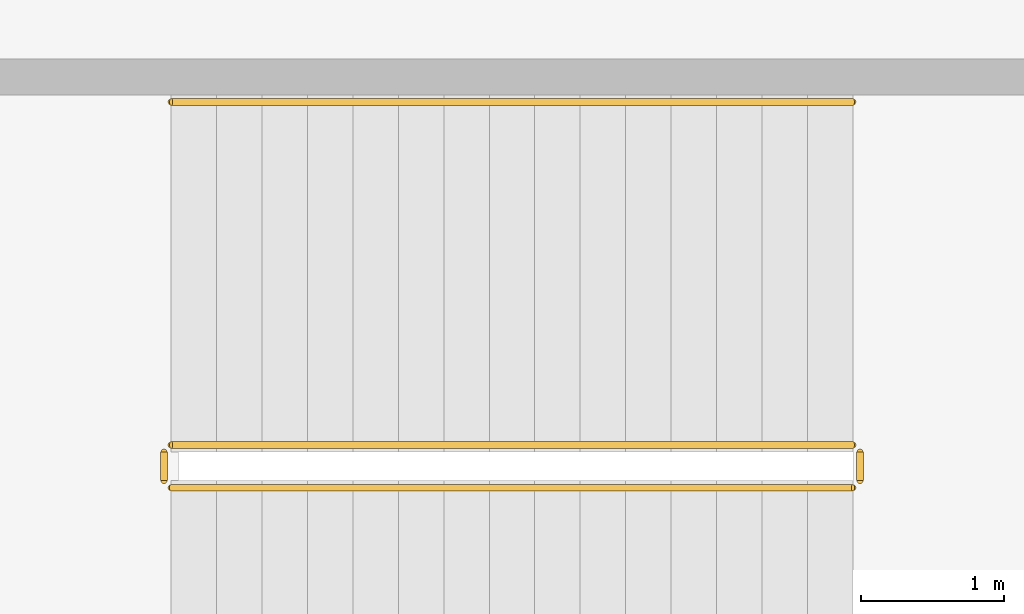
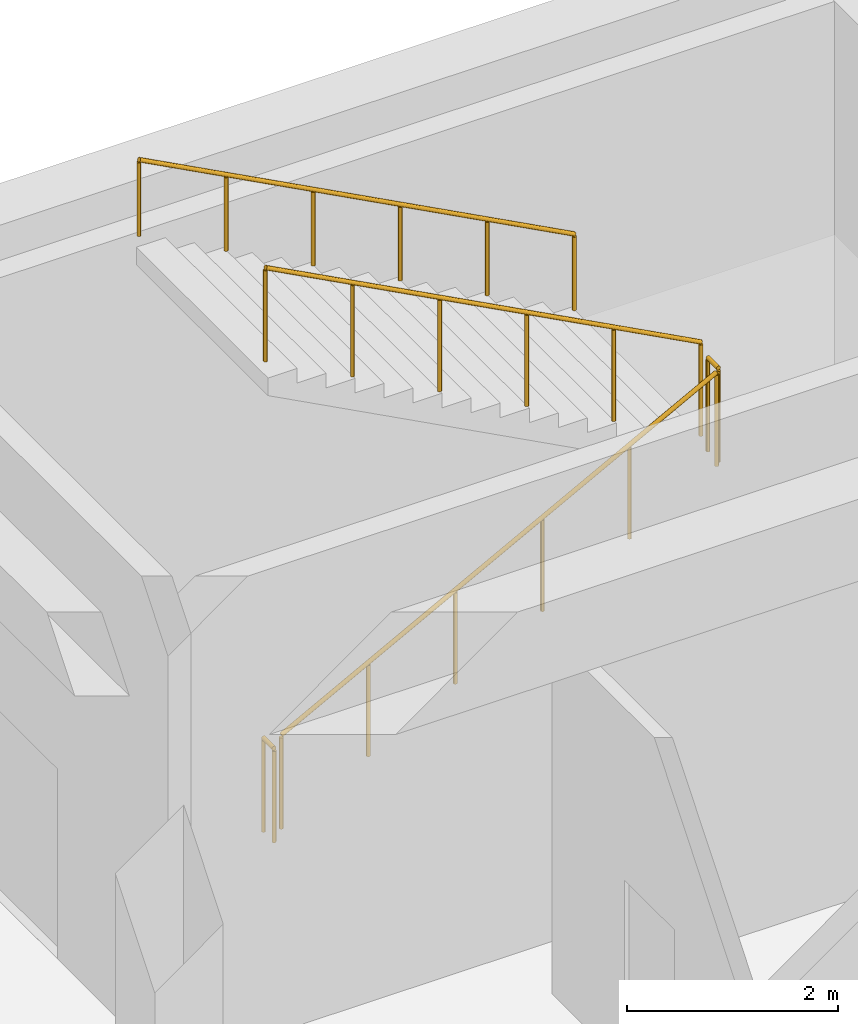
# One storey, part 70 of 70: 5 railings.
"""IFC4 building model written with IfcOpenShell, lengths in metres."""

from ifc_helpers import new_model, si_unit, direction, frame, origin, origin_2d, place, context, subcontext, project, spatial, circle, extrude, material, type_object, element, save


model = new_model("IFC4")

# Units and contexts
model_context = context("Model", 3, precision=1e-05, world=origin(), true_north=direction((0.0, 1.0)))
body_context = subcontext(model_context, "Body", "Model", "MODEL_VIEW")
ifc_project = project(units=[si_unit("LENGTHUNIT", "METRE"), si_unit("AREAUNIT", "SQUARE_METRE"), si_unit("VOLUMEUNIT", "CUBIC_METRE"), si_unit("PLANEANGLEUNIT", "RADIAN"), si_unit("MASSUNIT", "GRAM", prefix="KILO")], contexts=[model_context])

# Site, building, storey
site_placement = place(None, origin())
site = spatial("IfcSite", under=ifc_project, at=site_placement, CompositionType="ELEMENT")
building_placement = place(site_placement, origin())
building = spatial("IfcBuilding", under=site, at=building_placement, Name="Cuetzalor Civic Arena", CompositionType="ELEMENT")
storey_placement = place(building_placement, frame((0.0, 0.0, 21.0)))
storey = spatial("IfcBuildingStorey", under=building, at=storey_placement, Name="L04", CompositionType="ELEMENT", Elevation=21.0)

# Railings
ifc_material_1 = material(Name="Reseda-green architectural Steel S355 balustrade", Category="steel")
railing_type_1 = type_object("IfcRailingType", Name="InteriorVoidBalustrade_1100", PredefinedType="BALUSTRADE", material=ifc_material_1)
railing_1_placement = place(storey_placement, frame((67.449951171875, 20.85009765625, 0.168701171875)))
element("IfcRailing", 1, at=railing_1_placement, inside=storey, type_object=railing_type_1, Name="L04 ST-22 stair guard 1", PredefinedType="BALUSTRADE", context=body_context, shape_type="SweptSolid", body=[
    extrude(circle(Radius=0.02392578125, at=origin_2d()), frame((0.0, 0.0, 1.0810546875), z_axis=(0.883332211103, 0.0, 0.468747485143), x_axis=(0.0, 1.0, 0.0)), (0.0, 0.0, 1.0), 5.400146484375),
    extrude(circle(Radius=0.02099609375, at=origin_2d()), origin(), (0.0, 0.0, 1.0), 1.056884765625),
    extrude(circle(Radius=0.02099609375, at=origin_2d()), frame((0.9541015625, 0.0, 0.50634765625)), (0.0, 0.0, 1.0), 1.056884765625),
    extrude(circle(Radius=0.02099609375, at=origin_2d()), frame((1.907958984375, 0.0, 1.012451171875)), (0.0, 0.0, 1.0), 1.056884765625),
    extrude(circle(Radius=0.02099609375, at=origin_2d()), frame((2.862060546875, 0.0, 1.518798828125)), (0.0, 0.0, 1.0), 1.056884765625),
    extrude(circle(Radius=0.02099609375, at=origin_2d()), frame((3.81591796875, 0.0, 2.02490234375)), (0.0, 0.0, 1.0), 1.056884765625),
    extrude(circle(Radius=0.02099609375, at=origin_2d()), frame((4.77001953125, 0.0, 2.53125)), (0.0, 0.0, 1.0), 1.056884765625),
])
railing_2_placement = place(storey_placement, frame((72.27001953125, 20.89990234375, 2.699951171875)))
element("IfcRailing", 2, at=railing_2_placement, inside=storey, type_object=railing_type_1, Name="L04 ST-22 stair guard 2", PredefinedType="BALUSTRADE", context=body_context, shape_type="SweptSolid", body=[
    extrude(circle(Radius=0.02392578125, at=origin_2d()), frame((0.0, 0.0, 1.0810546875), z_axis=(0.0, 1.0, 0.0), x_axis=(-1.0, 0.0, 0.0)), (0.0, 0.0, 1.0), 0.2001953125),
    extrude(circle(Radius=0.02099609375, at=origin_2d()), origin(), (0.0, 0.0, 1.0), 1.056884765625),
    extrude(circle(Radius=0.02099609375, at=origin_2d()), frame((0.0, 0.2001953125, 0.0)), (0.0, 0.0, 1.0), 1.056884765625),
])
railing_3_placement = place(storey_placement, frame((72.219970703125, 21.14990234375, 2.86865234375)))
element("IfcRailing", 3, at=railing_3_placement, inside=storey, type_object=railing_type_1, Name="L04 ST-22 stair guard 3", PredefinedType="BALUSTRADE", context=body_context, shape_type="SweptSolid", body=[
    extrude(circle(Radius=0.02392578125, at=origin_2d()), frame((0.0, 0.0, 1.0810546875), z_axis=(-0.883332211103, 0.0, 0.468747485143), x_axis=(0.0, -1.0, 0.0)), (0.0, 0.0, 1.0), 5.400146484375),
    extrude(circle(Radius=0.02099609375, at=origin_2d()), origin(), (0.0, 0.0, 1.0), 1.056884765625),
    extrude(circle(Radius=0.02099609375, at=origin_2d()), frame((-0.9541015625, 0.0, 0.50634765625)), (0.0, 0.0, 1.0), 1.056884765625),
    extrude(circle(Radius=0.02099609375, at=origin_2d()), frame((-1.907958984375, 0.0, 1.012451171875)), (0.0, 0.0, 1.0), 1.056884765625),
    extrude(circle(Radius=0.02099609375, at=origin_2d()), frame((-2.862060546875, 0.0, 1.518798828125)), (0.0, 0.0, 1.0), 1.056884765625),
    extrude(circle(Radius=0.02099609375, at=origin_2d()), frame((-3.81591796875, 0.0, 2.02490234375)), (0.0, 0.0, 1.0), 1.056884765625),
    extrude(circle(Radius=0.02099609375, at=origin_2d()), frame((-4.77001953125, 0.0, 2.53125)), (0.0, 0.0, 1.0), 1.056884765625),
])
railing_4_placement = place(storey_placement, frame((67.39990234375, 20.89990234375, 0.0)))
element("IfcRailing", 4, at=railing_4_placement, inside=storey, type_object=railing_type_1, Name="L04 ST-22 stair guard 4", PredefinedType="BALUSTRADE", context=body_context, shape_type="SweptSolid", body=[
    extrude(circle(Radius=0.02392578125, at=origin_2d()), frame((0.0, 0.0, 1.0810546875), z_axis=(0.0, 1.0, 0.0), x_axis=(-1.0, 0.0, 0.0)), (0.0, 0.0, 1.0), 0.2001953125),
    extrude(circle(Radius=0.02099609375, at=origin_2d()), origin(), (0.0, 0.0, 1.0), 1.056884765625),
    extrude(circle(Radius=0.02099609375, at=origin_2d()), frame((0.0, 0.2001953125, 0.0)), (0.0, 0.0, 1.0), 1.056884765625),
])
ifc_material_2 = material(Name="Galvanised steel S355", Category="steel")
railing_type_2 = type_object("IfcRailingType", Name="StairPitchHandrail_900", PredefinedType="HANDRAIL", material=ifc_material_2)
railing_5_placement = place(storey_placement, frame((72.219970703125, 23.550048828125, 2.86865234375)))
element("IfcRailing", 5, at=railing_5_placement, inside=storey, type_object=railing_type_2, Name="L04 ST-22 stair handrail 2", PredefinedType="HANDRAIL", context=body_context, shape_type="SweptSolid", body=[
    extrude(circle(Radius=0.02392578125, at=origin_2d()), frame((0.0, 0.0, 0.8759765625), z_axis=(-0.883332211103, 0.0, 0.468747485143), x_axis=(0.0, -1.0, 0.0)), (0.0, 0.0, 1.0), 5.400146484375),
    extrude(circle(Radius=0.02099609375, at=origin_2d()), origin(), (0.0, 0.0, 1.0), 0.851806640625),
    extrude(circle(Radius=0.02099609375, at=origin_2d()), frame((-0.9541015625, 0.0, 0.50634765625)), (0.0, 0.0, 1.0), 0.851806640625),
    extrude(circle(Radius=0.02099609375, at=origin_2d()), frame((-1.907958984375, 0.0, 1.012451171875)), (0.0, 0.0, 1.0), 0.851806640625),
    extrude(circle(Radius=0.02099609375, at=origin_2d()), frame((-2.862060546875, 0.0, 1.518798828125)), (0.0, 0.0, 1.0), 0.851806640625),
    extrude(circle(Radius=0.02099609375, at=origin_2d()), frame((-3.81591796875, 0.0, 2.02490234375)), (0.0, 0.0, 1.0), 0.851806640625),
    extrude(circle(Radius=0.02099609375, at=origin_2d()), frame((-4.77001953125, 0.0, 2.53125)), (0.0, 0.0, 1.0), 0.851806640625),
])

save(model, "model.ifc")
